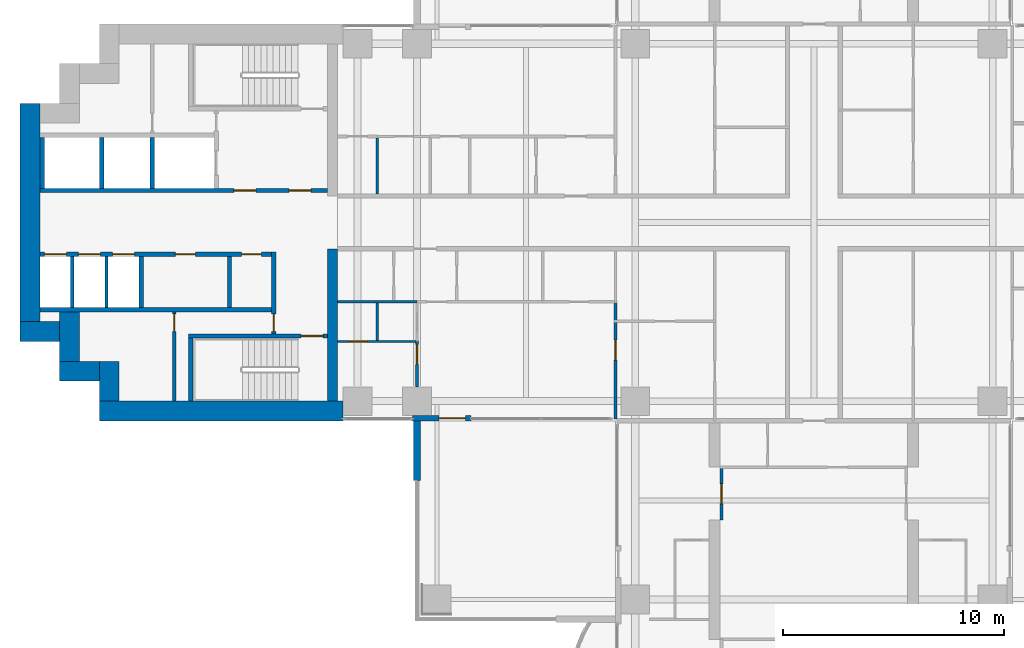
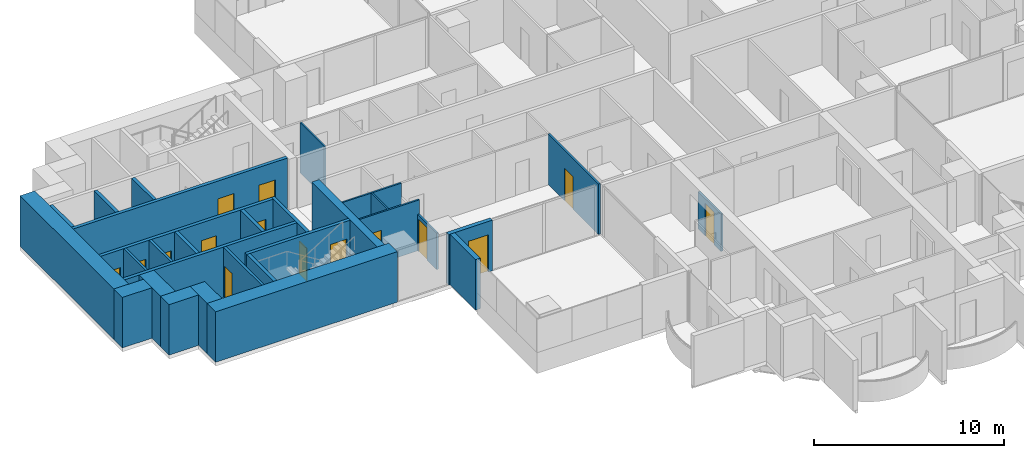
# One storey, part 10 of 21: 30 walls, 15 doors, 15 openings.
"""IFC4 building model written with IfcOpenShell, lengths in metres."""

from ifc_helpers import new_model, si_unit, direction, frame, frame_2d, origin, place, context, subcontext, project, spatial, rectangle, extrude, material, layer, layer_set, type_object, element, fill, save


model = new_model("IFC4")

# Units and contexts
model_context = context("Model", 3, precision=1e-05, world=origin(), true_north=direction((0.0, 1.0)))
body_context = subcontext(model_context, "Body", "Model", "MODEL_VIEW")
ifc_project = project(units=[si_unit("LENGTHUNIT", "METRE"), si_unit("AREAUNIT", "SQUARE_METRE"), si_unit("VOLUMEUNIT", "CUBIC_METRE"), si_unit("PLANEANGLEUNIT", "RADIAN"), si_unit("MASSUNIT", "GRAM", prefix="KILO")], contexts=[model_context])

# Site, building, storey
site_placement = place(None, origin())
site = spatial("IfcSite", under=ifc_project, at=site_placement, CompositionType="ELEMENT")
building_placement = place(site_placement, origin())
building = spatial("IfcBuilding", under=site, at=building_placement, Name="Perihelion Cross Residences", CompositionType="ELEMENT")
storey_placement = place(building_placement, frame((0.0, 0.0, 64.5)))
storey = spatial("IfcBuildingStorey", under=building, at=storey_placement, Name="L13", CompositionType="ELEMENT", Elevation=64.5)

# Wall, opening, door
ifc_material_1 = material(Name="Concrete C30/37, bronze-clad", Category="concrete")
ifc_layer_1 = layer(ifc_material_1, 0.25)
ifc_layer_set_1 = layer_set([ifc_layer_1], Name="Bronze-clad pier wall 250")
wall_type_1 = type_object("IfcWallType", Name="Bronze-clad pier wall 250", PredefinedType="SOLIDWALL", material=ifc_layer_set_1)
wall_1_placement = place(storey_placement, frame((-18.199951171875, -8.875, 0.0), z_axis=(0.0, 0.0, 1.0), x_axis=(1.0, 0.0, 0.0)))
wall_1 = element("IfcWall", 1, at=wall_1_placement, inside=storey, type_object=wall_type_1, Name="Wall FW1 L13 west side south bay 2 pier", PredefinedType="SOLIDWALL", context=body_context, shape_type="SweptSolid", body=[
    extrude(rectangle(XDim=2.64990234375, YDim=0.25, at=frame_2d((1.324951171875, 0.0))), origin(), (0.0, 0.0, 1.0), 3.25),
])
opening_1_placement = place(wall_1_placement, frame((1.199951171875, 0.0, 0.0)))
opening_1 = element("IfcOpeningElement", 2, at=opening_1_placement, cuts=wall_1, Name="Opening L13.E09", PredefinedType="OPENING", context=body_context, shape_type="SweptSolid", body=[
    extrude(rectangle(XDim=1.199951171875, YDim=2.39990234375, at=frame_2d((0.60009765625, 1.199951171875))), frame((0.0, 0.135009765625, 0.0), z_axis=(0.0, -1.0, 0.0), x_axis=(1.0, 0.0, 0.0)), (0.0, 0.0, 1.0), 0.27001953125),
])
ifc_material_2 = material(Name="Bronze anodised aluminium, glazed", Category="aluminium")
door_type_1 = type_object("IfcDoorType", Name="Balcony door 1200 x 2400", OperationType="NOTDEFINED", PredefinedType="DOOR", material=ifc_material_2)
door_1_placement = place(opening_1_placement, origin())
door_1 = element("IfcDoor", 3, at=door_1_placement, inside=storey, type_object=door_type_1, Name="Door L13.E09 west side south bay 2", OperationType="SINGLE_SWING_RIGHT", OverallHeight=2.39990234375, OverallWidth=1.199951171875, PredefinedType="DOOR", context=body_context, shape_type="SweptSolid", body=[
    extrude(rectangle(XDim=1.199951171875, YDim=2.39990234375, at=frame_2d((0.60009765625, 1.199951171875))), frame((0.0, 0.02490234375, 0.0), z_axis=(0.0, -1.0, 0.0), x_axis=(1.0, 0.0, 0.0)), (0.0, 0.0, 1.0), 0.050048828125),
])
fill(opening_1, door_1)

# Walls
ifc_material_3 = material(Name="Concrete C60/75", Category="concrete")
ifc_layer_2 = layer(ifc_material_3, 0.449951171875)
ifc_layer_set_2 = layer_set([ifc_layer_2], Name="Core wall, inner 450")
wall_type_2 = type_object("IfcWallType", Name="Core wall, inner 450", PredefinedType="SHEAR", material=ifc_layer_set_2)
wall_2_placement = place(storey_placement, frame((-21.824951171875, -8.10009765625, 0.0), z_axis=(0.0, 0.0, 1.0), x_axis=(0.0, 1.0, 0.0)))
element("IfcWall", 4, at=wall_2_placement, inside=storey, type_object=wall_type_2, Name="West core core wall, inner", PredefinedType="SHEAR", context=body_context, shape_type="SweptSolid", body=[
    extrude(rectangle(XDim=6.900146484375, YDim=0.449951171875, at=frame_2d((3.4501953125, 0.0))), origin(), (0.0, 0.0, 1.0), 3.25),
])
ifc_material_4 = material(Name="Concrete C60/75", Category="concrete")
ifc_layer_3 = layer(ifc_material_4, 0.89990234375)
ifc_layer_set_3 = layer_set([ifc_layer_3], Name="Core wall, outer 900")
wall_type_3 = type_object("IfcWallType", Name="Core wall, outer 900", PredefinedType="SHEAR", material=ifc_layer_set_3)
wall_3_placement = place(storey_placement, frame((-32.39990234375, -8.550048828125, 0.0), z_axis=(0.0, 0.0, 1.0), x_axis=(1.0, 0.0, 0.0)))
element("IfcWall", 5, at=wall_3_placement, inside=storey, type_object=wall_type_3, Name="West core core wall, outer", PredefinedType="SHEAR", context=body_context, shape_type="SweptSolid", body=[
    extrude(rectangle(XDim=11.0498046875, YDim=0.89990234375, at=frame_2d((5.52490234375, 0.0))), origin(), (0.0, 0.0, 1.0), 3.25),
])
for number, where, z_axis, x_axis, name in (
    (6, (-31.949951171875, -8.10009765625, 0.0), (0.0, 0.0, 1.0), (0.0, 1.0, 0.0), "West core core wall, outer"),
    (7, (-34.199951171875, -6.75, 0.0), (0.0, 0.0, 1.0), (1.0, 0.0, 0.0), "West core core wall, outer"),
):
    element("IfcWall", number, at=place(storey_placement, frame(where, z_axis=z_axis, x_axis=x_axis)), inside=storey, type_object=wall_type_3, Name=name, PredefinedType="SHEAR", context=body_context, shape_type="SweptSolid", body=[
        extrude(rectangle(XDim=1.800048828125, YDim=0.89990234375, at=frame_2d((0.89990234375, 0.0))), origin(), (0.0, 0.0, 1.0), 3.25),
    ])
wall_4_placement = place(storey_placement, frame((-33.75, -6.300048828125, 0.0), z_axis=(0.0, 0.0, 1.0), x_axis=(0.0, 1.0, 0.0)))
element("IfcWall", 8, at=wall_4_placement, inside=storey, type_object=wall_type_3, Name="West core core wall, outer", PredefinedType="SHEAR", context=body_context, shape_type="SweptSolid", body=[
    extrude(rectangle(XDim=2.25, YDim=0.89990234375, at=frame_2d((1.125, 0.0))), origin(), (0.0, 0.0, 1.0), 3.25),
])
wall_5_placement = place(storey_placement, frame((-36.0, -4.949951171875, 0.0), z_axis=(0.0, 0.0, 1.0), x_axis=(1.0, 0.0, 0.0)))
element("IfcWall", 9, at=wall_5_placement, inside=storey, type_object=wall_type_3, Name="West core core wall, outer", PredefinedType="SHEAR", context=body_context, shape_type="SweptSolid", body=[
    extrude(rectangle(XDim=1.800048828125, YDim=0.89990234375, at=frame_2d((0.89990234375, 0.0))), origin(), (0.0, 0.0, 1.0), 3.25),
])
wall_6_placement = place(storey_placement, frame((-35.550048828125, -4.5, 0.0), z_axis=(0.0, 0.0, 1.0), x_axis=(0.0, 1.0, 0.0)))
element("IfcWall", 10, at=wall_6_placement, inside=storey, type_object=wall_type_3, Name="West core core wall, outer", PredefinedType="SHEAR", context=body_context, shape_type="SweptSolid", body=[
    extrude(rectangle(XDim=9.89990234375, YDim=0.89990234375, at=frame_2d((4.949951171875, 0.0))), origin(), (0.0, 0.0, 1.0), 3.25),
])

# Wall, opening, door
ifc_material_5 = material(Name="Plasterboard partition")
ifc_layer_4 = layer(ifc_material_5, 0.1201171875)
ifc_layer_set_4 = layer_set([ifc_layer_4], Name="Infill panel 120")
wall_type_4 = type_object("IfcWallType", Name="Infill panel 120", PredefinedType="PARTITIONING", material=ifc_layer_set_4)
wall_7_placement = place(storey_placement, frame((-4.18994140625, -11.10009765625, 0.0), z_axis=(0.0, 0.0, 1.0), x_axis=(0.0, -1.0, 0.0)))
wall_7 = element("IfcWall", 11, at=wall_7_placement, inside=storey, type_object=wall_type_4, Name="Partition L13 WI07", PredefinedType="PARTITIONING", context=body_context, shape_type="SweptSolid", body=[
    extrude(rectangle(XDim=2.39990234375, YDim=0.1201171875, at=frame_2d((1.199951171875, 0.0))), origin(), (0.0, 0.0, 1.0), 2.39990234375),
])
opening_2_placement = place(wall_7_placement, frame((0.75, 0.0, 0.0)))
opening_2 = element("IfcOpeningElement", 12, at=opening_2_placement, cuts=wall_7, Name="Opening L13.A63", PredefinedType="OPENING", context=body_context, shape_type="SweptSolid", body=[
    extrude(rectangle(XDim=0.89990234375, YDim=2.10009765625, at=frame_2d((0.449951171875, 1.050048828125))), frame((0.0, 0.070068359375, 0.0), z_axis=(0.0, -1.0, 0.0), x_axis=(1.0, 0.0, 0.0)), (0.0, 0.0, 1.0), 0.14013671875),
])
ifc_material_6 = material(Name="Timber door leaf", Category="wood")
door_type_2 = type_object("IfcDoorType", Name="Interior room door 900 x 2100", OperationType="SINGLE_SWING_LEFT", PredefinedType="DOOR", material=ifc_material_6)
door_2_placement = place(opening_2_placement, origin())
door_2 = element("IfcDoor", 13, at=door_2_placement, inside=storey, type_object=door_type_2, Name="Door L13.A63", OperationType="SINGLE_SWING_LEFT", OverallHeight=2.10009765625, OverallWidth=0.89990234375, PredefinedType="DOOR", context=body_context, shape_type="SweptSolid", body=[
    extrude(rectangle(XDim=0.89990234375, YDim=2.10009765625, at=frame_2d((0.449951171875, 1.050048828125))), frame((0.0, 0.02490234375, 0.0), z_axis=(0.0, -1.0, 0.0), x_axis=(1.0, 0.0, 0.0)), (0.0, 0.0, 1.0), 0.050048828125),
])
fill(opening_2, door_2)

ifc_material_7 = material(Name="Concrete C50/60", Category="concrete")
ifc_layer_5 = layer(ifc_material_7, 0.199951171875)
ifc_layer_set_5 = layer_set([ifc_layer_5], Name="Lobby wall 200")
wall_type_5 = type_object("IfcWallType", Name="Lobby wall 200", PredefinedType="SOLIDWALL", material=ifc_layer_set_5)
wall_8_placement = place(storey_placement, frame((-24.5, -5.050048828125, 0.0), z_axis=(0.0, 0.0, 1.0), x_axis=(0.0, 1.0, 0.0)))
wall_8 = element("IfcWall", 14, at=wall_8_placement, inside=storey, type_object=wall_type_5, Name="West core lobby wall", PredefinedType="SOLIDWALL", context=body_context, shape_type="SweptSolid", body=[
    extrude(rectangle(XDim=3.699951171875, YDim=0.199951171875, at=frame_2d((1.85009765625, 0.0))), origin(), (0.0, 0.0, 1.0), 3.25),
])
opening_3_placement = place(wall_8_placement, frame((0.10009765625, 0.0, 0.0)))
opening_3 = element("IfcOpeningElement", 15, at=opening_3_placement, cuts=wall_8, Name="Opening L13.C22", PredefinedType="OPENING", context=body_context, shape_type="SweptSolid", body=[
    extrude(rectangle(XDim=0.800048828125, YDim=2.10009765625, at=frame_2d((0.39990234375, 1.050048828125))), frame((0.0, 0.10986328125, 0.0), z_axis=(0.0, -1.0, 0.0), x_axis=(1.0, 0.0, 0.0)), (0.0, 0.0, 1.0), 0.219970703125),
])
ifc_material_8 = material(Name="Steel, powder coated", Category="steel")
door_type_3 = type_object("IfcDoorType", Name="Riser door 800", OperationType="SINGLE_SWING_LEFT", PredefinedType="DOOR", material=ifc_material_8)
door_3_placement = place(opening_3_placement, origin())
door_3 = element("IfcDoor", 16, at=door_3_placement, inside=storey, type_object=door_type_3, Name="West core riser door", OperationType="SINGLE_SWING_LEFT", OverallHeight=2.10009765625, OverallWidth=0.800048828125, PredefinedType="DOOR", context=body_context, shape_type="SweptSolid", body=[
    extrude(rectangle(XDim=0.800048828125, YDim=2.10009765625, at=frame_2d((0.39990234375, 1.050048828125))), frame((0.0, 0.02490234375, 0.0), z_axis=(0.0, -1.0, 0.0), x_axis=(1.0, 0.0, 0.0)), (0.0, 0.0, 1.0), 0.050048828125),
])
fill(opening_3, door_3)

ifc_material_9 = material(Name="Plasterboard partition")
ifc_layer_6 = layer(ifc_material_9, 0.1201171875)
ifc_layer_set_6 = layer_set([ifc_layer_6], Name="Partition wall 120")
wall_type_6 = type_object("IfcWallType", Name="Partition wall 120", PredefinedType="PARTITIONING", material=ifc_layer_set_6)
wall_9_placement = place(storey_placement, frame((-18.0, -7.449951171875, 0.0), z_axis=(0.0, 0.0, 1.0), x_axis=(0.0, 1.0, 0.0)))
wall_9 = element("IfcWall", 17, at=wall_9_placement, inside=storey, type_object=wall_type_6, Name="Partition L13 W054", PredefinedType="PARTITIONING", context=body_context, shape_type="SweptSolid", body=[
    extrude(rectangle(XDim=2.050048828125, YDim=0.1201171875, at=frame_2d((1.02490234375, 0.0))), origin(), (0.0, 0.0, 1.0), 2.345947265625),
])
opening_4_placement = place(wall_9_placement, frame((1.02001953125, 0.0, 0.0)))
opening_4 = element("IfcOpeningElement", 18, at=opening_4_placement, cuts=wall_9, Name="Opening L13.A26", PredefinedType="OPENING", context=body_context, shape_type="SweptSolid", body=[
    extrude(rectangle(XDim=0.89990234375, YDim=2.10009765625, at=frame_2d((0.449951171875, 1.050048828125))), frame((0.0, 0.070068359375, 0.0), z_axis=(0.0, -1.0, 0.0), x_axis=(1.0, 0.0, 0.0)), (0.0, 0.0, 1.0), 0.14013671875),
])
door_4_placement = place(opening_4_placement, origin())
door_4 = element("IfcDoor", 19, at=door_4_placement, inside=storey, type_object=door_type_2, Name="Door L13.A26", OperationType="SINGLE_SWING_RIGHT", OverallHeight=2.10009765625, OverallWidth=0.89990234375, PredefinedType="DOOR", context=body_context, shape_type="SweptSolid", body=[
    extrude(rectangle(XDim=0.89990234375, YDim=2.10009765625, at=frame_2d((0.449951171875, 1.050048828125))), frame((0.0, 0.02490234375, 0.0), z_axis=(0.0, -1.0, 0.0), x_axis=(1.0, 0.0, 0.0)), (0.0, 0.0, 1.0), 0.050048828125),
])
fill(opening_4, door_4)

wall_10_placement = place(storey_placement, frame((-9.0, -3.60009765625, 0.0), z_axis=(0.0, 0.0, 1.0), x_axis=(0.0, -1.0, 0.0)))
wall_10 = element("IfcWall", 20, at=wall_10_placement, inside=storey, type_object=wall_type_6, Name="Partition L13 W055", PredefinedType="PARTITIONING", context=body_context, shape_type="SweptSolid", body=[
    extrude(rectangle(XDim=5.31982421875, YDim=0.1201171875, at=frame_2d((2.659912109375, 0.0))), origin(), (0.0, 0.0, 1.0), 3.25),
])
opening_5_placement = place(wall_10_placement, frame((1.738037109375, 0.0, 0.0)))
opening_5 = element("IfcOpeningElement", 21, at=opening_5_placement, cuts=wall_10, Name="Opening L13.A35", PredefinedType="OPENING", context=body_context, shape_type="SweptSolid", body=[
    extrude(rectangle(XDim=0.89990234375, YDim=2.10009765625, at=frame_2d((0.449951171875, 1.050048828125))), frame((0.0, 0.070068359375, 0.0), z_axis=(0.0, -1.0, 0.0), x_axis=(1.0, 0.0, 0.0)), (0.0, 0.0, 1.0), 0.14013671875),
])
door_5_placement = place(opening_5_placement, origin())
door_5 = element("IfcDoor", 22, at=door_5_placement, inside=storey, type_object=door_type_2, Name="Door L13.A35", OperationType="SINGLE_SWING_RIGHT", OverallHeight=2.10009765625, OverallWidth=0.89990234375, PredefinedType="DOOR", context=body_context, shape_type="SweptSolid", body=[
    extrude(rectangle(XDim=0.89990234375, YDim=2.10009765625, at=frame_2d((0.449951171875, 1.050048828125))), frame((0.0, 0.02490234375, 0.0), z_axis=(0.0, -1.0, 0.0), x_axis=(1.0, 0.0, 0.0)), (0.0, 0.0, 1.0), 0.050048828125),
])
fill(opening_5, door_5)

# Wall
ifc_material_10 = material(Name="Precast concrete C50/60", Category="concrete")
ifc_layer_7 = layer(ifc_material_10, 0.300048828125)
ifc_layer_set_7 = layer_set([ifc_layer_7], Name="Precast concrete C50/60 blade wall 300")
wall_type_7 = type_object("IfcWallType", Name="Precast concrete C50/60 blade wall 300", PredefinedType="SOLIDWALL", material=ifc_layer_set_7)
wall_11_placement = place(storey_placement, frame((-18.0, -8.75, 0.0), z_axis=(0.0, 0.0, 1.0), x_axis=(0.0, -1.0, 0.0)))
element("IfcWall", 23, at=wall_11_placement, inside=storey, type_object=wall_type_7, Name="Wall BL1 L13 no. 1", PredefinedType="SOLIDWALL", context=body_context, shape_type="SweptSolid", body=[
    extrude(rectangle(XDim=2.949951171875, YDim=0.300048828125, at=frame_2d((1.47509765625, 0.0))), origin(), (0.0, 0.0, 1.0), 3.25),
])

# Wall, opening, door
ifc_material_11 = material(Name="Fire-rated board on steel stud", Category="steel")
ifc_layer_8 = layer(ifc_material_11, 0.14990234375)
ifc_layer_set_8 = layer_set([ifc_layer_8], Name="Riser wall 150")
wall_type_8 = type_object("IfcWallType", Name="Riser wall 150", PredefinedType="PARTITIONING", material=ifc_layer_set_8)
wall_12_placement = place(storey_placement, frame((-29.0, -8.10009765625, 0.0), z_axis=(0.0, 0.0, 1.0), x_axis=(0.0, 1.0, 0.0)))
wall_12 = element("IfcWall", 24, at=wall_12_placement, inside=storey, type_object=wall_type_8, Name="West core riser wall", PredefinedType="PARTITIONING", context=body_context, shape_type="SweptSolid", body=[
    extrude(rectangle(XDim=4.050048828125, YDim=0.14990234375, at=frame_2d((2.02490234375, 0.0))), origin(), (0.0, 0.0, 1.0), 3.25),
])
opening_6_placement = place(wall_12_placement, frame((3.14990234375, 0.0, 0.0)))
opening_6 = element("IfcOpeningElement", 25, at=opening_6_placement, cuts=wall_12, Name="Opening L13.C27", PredefinedType="OPENING", context=body_context, shape_type="SweptSolid", body=[
    extrude(rectangle(XDim=0.800048828125, YDim=2.10009765625, at=frame_2d((0.39990234375, 1.050048828125))), frame((0.0, 0.0849609375, 0.0), z_axis=(0.0, -1.0, 0.0), x_axis=(1.0, 0.0, 0.0)), (0.0, 0.0, 1.0), 0.169921875),
])
door_6_placement = place(opening_6_placement, origin())
door_6 = element("IfcDoor", 26, at=door_6_placement, inside=storey, type_object=door_type_3, Name="West core riser door", OperationType="SINGLE_SWING_LEFT", OverallHeight=2.10009765625, OverallWidth=0.800048828125, PredefinedType="DOOR", context=body_context, shape_type="SweptSolid", body=[
    extrude(rectangle(XDim=0.800048828125, YDim=2.10009765625, at=frame_2d((0.39990234375, 1.050048828125))), frame((0.0, 0.02490234375, 0.0), z_axis=(0.0, -1.0, 0.0), x_axis=(1.0, 0.0, 0.0)), (0.0, 0.0, 1.0), 0.050048828125),
])
fill(opening_6, door_6)

# Walls
ifc_material_12 = material(Name="Fire-rated board on steel stud", Category="steel")
ifc_layer_9 = layer(ifc_material_12, 0.199951171875)
ifc_layer_set_9 = layer_set([ifc_layer_9], Name="Riser wall 200")
wall_type_9 = type_object("IfcWallType", Name="Riser wall 200", PredefinedType="PARTITIONING", material=ifc_layer_set_9)
wall_13_placement = place(storey_placement, frame((-26.5, -3.85009765625, 0.0), z_axis=(0.0, 0.0, 1.0), x_axis=(0.0, 1.0, 0.0)))
element("IfcWall", 27, at=wall_13_placement, inside=storey, type_object=wall_type_9, Name="West core riser wall", PredefinedType="PARTITIONING", context=body_context, shape_type="SweptSolid", body=[
    extrude(rectangle(XDim=2.300048828125, YDim=0.199951171875, at=frame_2d((1.14990234375, 0.0))), origin(), (0.0, 0.0, 1.0), 3.25),
])
ifc_material_13 = material(Name="Concrete C50/60", Category="concrete")
ifc_layer_10 = layer(ifc_material_13, 0.14990234375)
ifc_layer_set_10 = layer_set([ifc_layer_10], Name="Shaft wall 150")
wall_type_10 = type_object("IfcWallType", Name="Shaft wall 150", PredefinedType="SOLIDWALL", material=ifc_layer_set_10)
for number, where, z_axis, x_axis, name in (
    (28, (-32.074951171875, -3.85009765625, 0.0), (0.0, 0.0, 1.0), (0.0, 1.0, 0.0), "West core shaft wall"),
    (29, (-33.625, -3.85009765625, 0.0), (0.0, 0.0, 1.0), (0.0, 1.0, 0.0), "West core shaft wall"),
):
    element("IfcWall", number, at=place(storey_placement, frame(where, z_axis=z_axis, x_axis=x_axis)), inside=storey, type_object=wall_type_10, Name=name, PredefinedType="SOLIDWALL", context=body_context, shape_type="SweptSolid", body=[
        extrude(rectangle(XDim=2.300048828125, YDim=0.14990234375, at=frame_2d((1.14990234375, 0.0))), origin(), (0.0, 0.0, 1.0), 3.25),
    ])

# Wall, openings, doors
ifc_material_14 = material(Name="Concrete C50/60", Category="concrete")
ifc_layer_11 = layer(ifc_material_14, 0.199951171875)
ifc_layer_set_11 = layer_set([ifc_layer_11], Name="Shaft wall 200")
wall_type_11 = type_object("IfcWallType", Name="Shaft wall 200", PredefinedType="SOLIDWALL", material=ifc_layer_set_11)
wall_14_placement = place(storey_placement, frame((-35.10009765625, 1.449951171875, 0.0), z_axis=(0.0, 0.0, 1.0), x_axis=(1.0, 0.0, 0.0)))
wall_14 = element("IfcWall", 30, at=wall_14_placement, inside=storey, type_object=wall_type_11, Name="West core shaft wall", PredefinedType="SOLIDWALL", context=body_context, shape_type="SweptSolid", body=[
    extrude(rectangle(XDim=13.050048828125, YDim=0.199951171875, at=frame_2d((6.52490234375, 0.0))), origin(), (0.0, 0.0, 1.0), 3.25),
])
opening_7_placement = place(wall_14_placement, frame((11.300048828125, 0.0, 0.0)))
opening_7 = element("IfcOpeningElement", 31, at=opening_7_placement, cuts=wall_14, Name="Opening L13.C21", PredefinedType="OPENING", context=body_context, shape_type="SweptSolid", body=[
    extrude(rectangle(XDim=1.0, YDim=2.10009765625, at=frame_2d((0.5, 1.050048828125))), frame((0.0, 0.10986328125, 0.0), z_axis=(0.0, -1.0, 0.0), x_axis=(1.0, 0.0, 0.0)), (0.0, 0.0, 1.0), 0.219970703125),
])
opening_8_placement = place(wall_14_placement, frame((8.800048828125, 0.0, 0.0)))
opening_8 = element("IfcOpeningElement", 32, at=opening_8_placement, cuts=wall_14, Name="Opening L13.C24", PredefinedType="OPENING", context=body_context, shape_type="SweptSolid", body=[
    extrude(rectangle(XDim=1.0, YDim=2.10009765625, at=frame_2d((0.5, 1.050048828125))), frame((0.0, 0.10986328125, 0.0), z_axis=(0.0, -1.0, 0.0), x_axis=(1.0, 0.0, 0.0)), (0.0, 0.0, 1.0), 0.219970703125),
])
ifc_material_15 = material(Name="Steel, powder coated", Category="steel")
door_type_4 = type_object("IfcDoorType", Name="Lobby door 1000", OperationType="SINGLE_SWING_LEFT", PredefinedType="DOOR", material=ifc_material_15)
door_7_placement = place(opening_7_placement, origin())
door_7 = element("IfcDoor", 33, at=door_7_placement, inside=storey, type_object=door_type_4, Name="West core firefighting lobby door", OperationType="SINGLE_SWING_LEFT", OverallHeight=2.10009765625, OverallWidth=1.0, PredefinedType="DOOR", context=body_context, shape_type="SweptSolid", body=[
    extrude(rectangle(XDim=1.0, YDim=2.10009765625, at=frame_2d((0.5, 1.050048828125))), frame((0.0, 0.02490234375, 0.0), z_axis=(0.0, -1.0, 0.0), x_axis=(1.0, 0.0, 0.0)), (0.0, 0.0, 1.0), 0.050048828125),
])
fill(opening_7, door_7)
door_8_placement = place(opening_8_placement, origin())
door_8 = element("IfcDoor", 34, at=door_8_placement, inside=storey, type_object=door_type_4, Name="West core firefighting lobby door", OperationType="SINGLE_SWING_LEFT", OverallHeight=2.10009765625, OverallWidth=1.0, PredefinedType="DOOR", context=body_context, shape_type="SweptSolid", body=[
    extrude(rectangle(XDim=1.0, YDim=2.10009765625, at=frame_2d((0.5, 1.050048828125))), frame((0.0, 0.02490234375, 0.0), z_axis=(0.0, -1.0, 0.0), x_axis=(1.0, 0.0, 0.0)), (0.0, 0.0, 1.0), 0.050048828125),
])
fill(opening_8, door_8)

wall_15_placement = place(storey_placement, frame((-35.10009765625, -1.449951171875, 0.0), z_axis=(0.0, 0.0, 1.0), x_axis=(1.0, 0.0, 0.0)))
wall_15 = element("IfcWall", 35, at=wall_15_placement, inside=storey, type_object=wall_type_11, Name="West core shaft wall", PredefinedType="SOLIDWALL", context=body_context, shape_type="SweptSolid", body=[
    extrude(rectangle(XDim=10.5, YDim=0.199951171875, at=frame_2d((5.25, 0.0))), origin(), (0.0, 0.0, 1.0), 3.25),
])
opening_9_placement = place(wall_15_placement, frame((3.300048828125, 0.0, 0.0)))
opening_9 = element("IfcOpeningElement", 36, at=opening_9_placement, cuts=wall_15, Name="Opening L13.C16", PredefinedType="OPENING", context=body_context, shape_type="SweptSolid", body=[
    extrude(rectangle(XDim=1.0, YDim=2.10009765625, at=frame_2d((0.5, 1.050048828125))), frame((0.0, 0.10986328125, 0.0), z_axis=(0.0, -1.0, 0.0), x_axis=(1.0, 0.0, 0.0)), (0.0, 0.0, 1.0), 0.219970703125),
])
opening_10_placement = place(wall_15_placement, frame((1.75, 0.0, 0.0)))
opening_10 = element("IfcOpeningElement", 37, at=opening_10_placement, cuts=wall_15, Name="Opening L13.C17", PredefinedType="OPENING", context=body_context, shape_type="SweptSolid", body=[
    extrude(rectangle(XDim=1.0, YDim=2.10009765625, at=frame_2d((0.5, 1.050048828125))), frame((0.0, 0.10986328125, 0.0), z_axis=(0.0, -1.0, 0.0), x_axis=(1.0, 0.0, 0.0)), (0.0, 0.0, 1.0), 0.219970703125),
])
opening_11_placement = place(wall_15_placement, frame((0.199951171875, 0.0, 0.0)))
opening_11 = element("IfcOpeningElement", 38, at=opening_11_placement, cuts=wall_15, Name="Opening L13.C18", PredefinedType="OPENING", context=body_context, shape_type="SweptSolid", body=[
    extrude(rectangle(XDim=1.0, YDim=2.10009765625, at=frame_2d((0.5, 1.050048828125))), frame((0.0, 0.10986328125, 0.0), z_axis=(0.0, -1.0, 0.0), x_axis=(1.0, 0.0, 0.0)), (0.0, 0.0, 1.0), 0.219970703125),
])
opening_12_placement = place(wall_15_placement, frame((9.14990234375, 0.0, 0.0)))
opening_12 = element("IfcOpeningElement", 39, at=opening_12_placement, cuts=wall_15, Name="Opening L13.C23", PredefinedType="OPENING", context=body_context, shape_type="SweptSolid", body=[
    extrude(rectangle(XDim=0.89990234375, YDim=2.10009765625, at=frame_2d((0.449951171875, 1.050048828125))), frame((0.0, 0.10986328125, 0.0), z_axis=(0.0, -1.0, 0.0), x_axis=(1.0, 0.0, 0.0)), (0.0, 0.0, 1.0), 0.219970703125),
])
opening_13_placement = place(wall_15_placement, frame((6.14990234375, 0.0, 0.0)))
opening_13 = element("IfcOpeningElement", 40, at=opening_13_placement, cuts=wall_15, Name="Opening L13.C26", PredefinedType="OPENING", context=body_context, shape_type="SweptSolid", body=[
    extrude(rectangle(XDim=0.89990234375, YDim=2.10009765625, at=frame_2d((0.449951171875, 1.050048828125))), frame((0.0, 0.10986328125, 0.0), z_axis=(0.0, -1.0, 0.0), x_axis=(1.0, 0.0, 0.0)), (0.0, 0.0, 1.0), 0.219970703125),
])
ifc_material_16 = material(Name="Stainless steel", Category="steel")
door_type_5 = type_object("IfcDoorType", Name="Landing door 1000", OperationType="DOUBLE_DOOR_SLIDING", PredefinedType="DOOR", material=ifc_material_16)
door_9_placement = place(opening_9_placement, origin())
door_9 = element("IfcDoor", 41, at=door_9_placement, inside=storey, type_object=door_type_5, Name="Landing door, West core low-rise lift 1", OperationType="DOUBLE_DOOR_SLIDING", OverallHeight=2.10009765625, OverallWidth=1.0, PredefinedType="DOOR", context=body_context, shape_type="SweptSolid", body=[
    extrude(rectangle(XDim=1.0, YDim=2.10009765625, at=frame_2d((0.5, 1.050048828125))), frame((0.0, 0.02490234375, 0.0), z_axis=(0.0, -1.0, 0.0), x_axis=(1.0, 0.0, 0.0)), (0.0, 0.0, 1.0), 0.050048828125),
])
fill(opening_9, door_9)
door_10_placement = place(opening_10_placement, origin())
door_10 = element("IfcDoor", 42, at=door_10_placement, inside=storey, type_object=door_type_5, Name="Landing door, West core low-rise lift 2", OperationType="DOUBLE_DOOR_SLIDING", OverallHeight=2.10009765625, OverallWidth=1.0, PredefinedType="DOOR", context=body_context, shape_type="SweptSolid", body=[
    extrude(rectangle(XDim=1.0, YDim=2.10009765625, at=frame_2d((0.5, 1.050048828125))), frame((0.0, 0.02490234375, 0.0), z_axis=(0.0, -1.0, 0.0), x_axis=(1.0, 0.0, 0.0)), (0.0, 0.0, 1.0), 0.050048828125),
])
fill(opening_10, door_10)
door_11_placement = place(opening_11_placement, origin())
door_11 = element("IfcDoor", 43, at=door_11_placement, inside=storey, type_object=door_type_5, Name="Landing door, West core low-rise lift 3", OperationType="DOUBLE_DOOR_SLIDING", OverallHeight=2.10009765625, OverallWidth=1.0, PredefinedType="DOOR", context=body_context, shape_type="SweptSolid", body=[
    extrude(rectangle(XDim=1.0, YDim=2.10009765625, at=frame_2d((0.5, 1.050048828125))), frame((0.0, 0.02490234375, 0.0), z_axis=(0.0, -1.0, 0.0), x_axis=(1.0, 0.0, 0.0)), (0.0, 0.0, 1.0), 0.050048828125),
])
fill(opening_11, door_11)
ifc_material_17 = material(Name="Steel, powder coated", Category="steel")
door_type_6 = type_object("IfcDoorType", Name="Service room door 900", OperationType="SINGLE_SWING_LEFT", PredefinedType="DOOR", material=ifc_material_17)
door_12_placement = place(opening_12_placement, origin())
door_12 = element("IfcDoor", 44, at=door_12_placement, inside=storey, type_object=door_type_6, Name="West core service room door", OperationType="SINGLE_SWING_LEFT", OverallHeight=2.10009765625, OverallWidth=0.89990234375, PredefinedType="DOOR", context=body_context, shape_type="SweptSolid", body=[
    extrude(rectangle(XDim=0.89990234375, YDim=2.10009765625, at=frame_2d((0.449951171875, 1.050048828125))), frame((0.0, 0.02490234375, 0.0), z_axis=(0.0, -1.0, 0.0), x_axis=(1.0, 0.0, 0.0)), (0.0, 0.0, 1.0), 0.050048828125),
])
fill(opening_12, door_12)
door_13_placement = place(opening_13_placement, origin())
door_13 = element("IfcDoor", 45, at=door_13_placement, inside=storey, type_object=door_type_6, Name="West core service room door", OperationType="SINGLE_SWING_LEFT", OverallHeight=2.10009765625, OverallWidth=0.89990234375, PredefinedType="DOOR", context=body_context, shape_type="SweptSolid", body=[
    extrude(rectangle(XDim=0.89990234375, YDim=2.10009765625, at=frame_2d((0.449951171875, 1.050048828125))), frame((0.0, 0.02490234375, 0.0), z_axis=(0.0, -1.0, 0.0), x_axis=(1.0, 0.0, 0.0)), (0.0, 0.0, 1.0), 0.050048828125),
])
fill(opening_13, door_13)

# Walls
wall_16_placement = place(storey_placement, frame((-35.10009765625, -3.949951171875, 0.0), z_axis=(0.0, 0.0, 1.0), x_axis=(1.0, 0.0, 0.0)))
element("IfcWall", 46, at=wall_16_placement, inside=storey, type_object=wall_type_11, Name="West core shaft wall", PredefinedType="SOLIDWALL", context=body_context, shape_type="SweptSolid", body=[
    extrude(rectangle(XDim=10.5, YDim=0.199951171875, at=frame_2d((5.25, 0.0))), origin(), (0.0, 0.0, 1.0), 3.25),
])
for number, where, z_axis, x_axis, name in (
    (47, (-30.0, 1.550048828125, 0.0), (0.0, 0.0, 1.0), (0.0, 1.0, 0.0), "West core shaft wall"),
    (48, (-32.300048828125, 1.550048828125, 0.0), (0.0, 0.0, 1.0), (0.0, 1.0, 0.0), "West core shaft wall"),
    (49, (-35.0, 1.550048828125, 0.0), (0.0, 0.0, 1.0), (0.0, 1.0, 0.0), "West core shaft wall"),
    (50, (-30.5, -3.85009765625, 0.0), (0.0, 0.0, 1.0), (0.0, 1.0, 0.0), "West core shaft wall"),
):
    element("IfcWall", number, at=place(storey_placement, frame(where, z_axis=z_axis, x_axis=x_axis)), inside=storey, type_object=wall_type_11, Name=name, PredefinedType="SOLIDWALL", context=body_context, shape_type="SweptSolid", body=[
        extrude(rectangle(XDim=2.300048828125, YDim=0.199951171875, at=frame_2d((1.14990234375, 0.0))), origin(), (0.0, 0.0, 1.0), 3.25),
    ])

# Wall, opening, door
ifc_material_18 = material(Name="Concrete C50/60", Category="concrete")
ifc_layer_12 = layer(ifc_material_18, 0.199951171875)
ifc_layer_set_12 = layer_set([ifc_layer_12], Name="Stair wall 200")
wall_type_12 = type_object("IfcWallType", Name="Stair wall 200", PredefinedType="SOLIDWALL", material=ifc_layer_set_12)
wall_17_placement = place(storey_placement, frame((-28.35009765625, -5.14990234375, 0.0), z_axis=(0.0, 0.0, 1.0), x_axis=(1.0, 0.0, 0.0)))
wall_17 = element("IfcWall", 51, at=wall_17_placement, inside=storey, type_object=wall_type_12, Name="West core stair wall", PredefinedType="SOLIDWALL", context=body_context, shape_type="SweptSolid", body=[
    extrude(rectangle(XDim=6.300048828125, YDim=0.199951171875, at=frame_2d((3.14990234375, 0.0))), origin(), (0.0, 0.0, 1.0), 3.25),
])
opening_14_placement = place(wall_17_placement, frame((5.10009765625, 0.0, 0.0)))
opening_14 = element("IfcOpeningElement", 52, at=opening_14_placement, cuts=wall_17, Name="Opening L13.C19", PredefinedType="OPENING", context=body_context, shape_type="SweptSolid", body=[
    extrude(rectangle(XDim=1.0, YDim=2.10009765625, at=frame_2d((0.5, 1.050048828125))), frame((0.0, 0.10986328125, 0.0), z_axis=(0.0, -1.0, 0.0), x_axis=(1.0, 0.0, 0.0)), (0.0, 0.0, 1.0), 0.219970703125),
])
ifc_material_19 = material(Name="Steel, powder coated", Category="steel")
door_type_7 = type_object("IfcDoorType", Name="Stair door 1000", OperationType="SINGLE_SWING_LEFT", PredefinedType="DOOR", material=ifc_material_19)
door_14_placement = place(opening_14_placement, origin())
door_14 = element("IfcDoor", 53, at=door_14_placement, inside=storey, type_object=door_type_7, Name="West core stair door", OperationType="SINGLE_SWING_LEFT", OverallHeight=2.10009765625, OverallWidth=1.0, PredefinedType="DOOR", context=body_context, shape_type="SweptSolid", body=[
    extrude(rectangle(XDim=1.0, YDim=2.10009765625, at=frame_2d((0.5, 1.050048828125))), frame((0.0, 0.02490234375, 0.0), z_axis=(0.0, -1.0, 0.0), x_axis=(1.0, 0.0, 0.0)), (0.0, 0.0, 1.0), 0.050048828125),
])
fill(opening_14, door_14)

# Walls
wall_18_placement = place(storey_placement, frame((-28.25, -8.10009765625, 0.0), z_axis=(0.0, 0.0, 1.0), x_axis=(0.0, 1.0, 0.0)))
element("IfcWall", 54, at=wall_18_placement, inside=storey, type_object=wall_type_12, Name="West core stair wall", PredefinedType="SOLIDWALL", context=body_context, shape_type="SweptSolid", body=[
    extrude(rectangle(XDim=2.85009765625, YDim=0.199951171875, at=frame_2d((1.425048828125, 0.0))), origin(), (0.0, 0.0, 1.0), 3.25),
])
ifc_material_20 = material(Name="Plasterboard partition")
ifc_layer_13 = layer(ifc_material_20, 0.10009765625)
ifc_layer_set_13 = layer_set([ifc_layer_13], Name="Wet room wall 100")
wall_type_13 = type_object("IfcWallType", Name="Wet room wall 100", PredefinedType="PARTITIONING", material=ifc_layer_set_13)
wall_19_placement = place(storey_placement, frame((-19.800048828125, 1.300048828125, 0.0), z_axis=(0.0, 0.0, 1.0), x_axis=(0.0, 1.0, 0.0)))
element("IfcWall", 55, at=wall_19_placement, inside=storey, type_object=wall_type_13, Name="Partition L13 W040", PredefinedType="PARTITIONING", context=body_context, shape_type="SweptSolid", body=[
    extrude(rectangle(XDim=2.5400390625, YDim=0.10009765625, at=frame_2d((1.27001953125, 0.0))), origin(), (0.0, 0.0, 1.0), 3.25),
])
wall_20_placement = place(storey_placement, frame((-18.0, -3.60009765625, 0.0), z_axis=(0.0, 0.0, 1.0), x_axis=(-1.0, 0.0, 0.0)))
element("IfcWall", 56, at=wall_20_placement, inside=storey, type_object=wall_type_13, Name="Partition L13 W052", PredefinedType="PARTITIONING", context=body_context, shape_type="SweptSolid", body=[
    extrude(rectangle(XDim=3.60009765625, YDim=0.10009765625, at=frame_2d((1.800048828125, 0.0))), origin(), (0.0, 0.0, 1.0), 3.25),
])
wall_21_placement = place(storey_placement, frame((-19.800048828125, -5.35009765625, 0.0), z_axis=(0.0, 0.0, 1.0), x_axis=(0.0, 1.0, 0.0)))
element("IfcWall", 57, at=wall_21_placement, inside=storey, type_object=wall_type_13, Name="Partition L13 W056", PredefinedType="PARTITIONING", context=body_context, shape_type="SweptSolid", body=[
    extrude(rectangle(XDim=1.7001953125, YDim=0.10009765625, at=frame_2d((0.85009765625, 0.0))), origin(), (0.0, 0.0, 1.0), 3.25),
])

# Wall, opening, door
wall_22_placement = place(storey_placement, frame((-17.93994140625, -5.39990234375, 0.0), z_axis=(0.0, 0.0, 1.0), x_axis=(-1.0, 0.0, 0.0)))
wall_22 = element("IfcWall", 58, at=wall_22_placement, inside=storey, type_object=wall_type_13, Name="Partition L13 W057", PredefinedType="PARTITIONING", context=body_context, shape_type="SweptSolid", body=[
    extrude(rectangle(XDim=3.66015625, YDim=0.10009765625, at=frame_2d((1.830078125, 0.0))), origin(), (0.0, 0.0, 1.0), 3.25),
])
opening_15_placement = place(wall_22_placement, frame((2.3349609375, 0.0, 0.0)))
opening_15 = element("IfcOpeningElement", 59, at=opening_15_placement, cuts=wall_22, Name="Opening L13.A28", PredefinedType="OPENING", context=body_context, shape_type="SweptSolid", body=[
    extrude(rectangle(XDim=0.85009765625, YDim=2.10009765625, at=frame_2d((0.425048828125, 1.050048828125))), frame((0.0, 0.06005859375, 0.0), z_axis=(0.0, -1.0, 0.0), x_axis=(1.0, 0.0, 0.0)), (0.0, 0.0, 1.0), 0.1201171875),
])
ifc_material_21 = material(Name="Timber door leaf", Category="wood")
door_type_8 = type_object("IfcDoorType", Name="Interior bathroom door 850 x 2100", OperationType="SINGLE_SWING_LEFT", PredefinedType="DOOR", material=ifc_material_21)
door_15_placement = place(opening_15_placement, origin())
door_15 = element("IfcDoor", 60, at=door_15_placement, inside=storey, type_object=door_type_8, Name="Door L13.A28", OperationType="SINGLE_SWING_RIGHT", OverallHeight=2.10009765625, OverallWidth=0.85009765625, PredefinedType="DOOR", context=body_context, shape_type="SweptSolid", body=[
    extrude(rectangle(XDim=0.85009765625, YDim=2.10009765625, at=frame_2d((0.425048828125, 1.050048828125))), frame((0.0, 0.02490234375, 0.0), z_axis=(0.0, -1.0, 0.0), x_axis=(1.0, 0.0, 0.0)), (0.0, 0.0, 1.0), 0.050048828125),
])
fill(opening_15, door_15)

save(model, "model.ifc")
